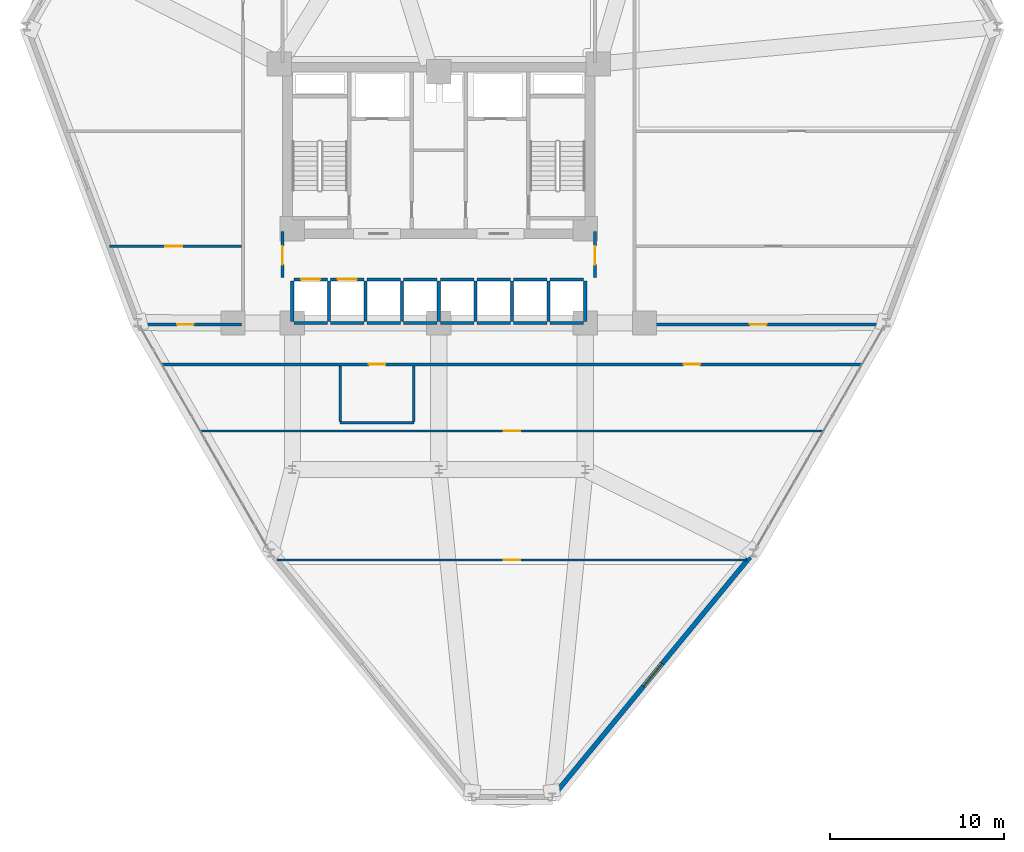
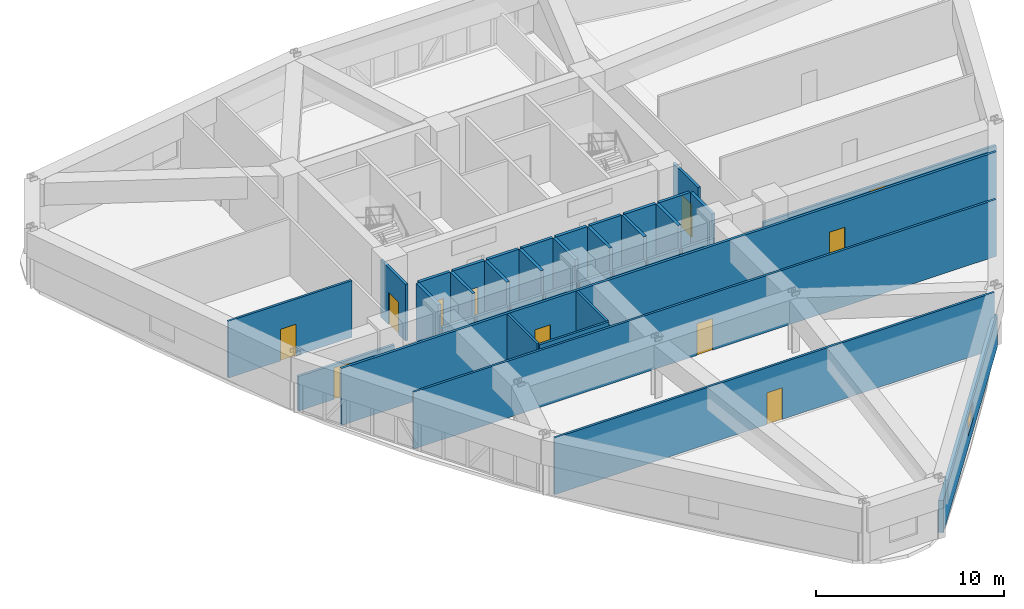
# One storey, part 14 of 18: 37 walls, 11 doors, 1 window, 12 openings.
"""IFC4 building model written with IfcOpenShell, lengths in metres."""

import ifcopenshell
import ifcopenshell.guid

model = None  # the IFC model being written
_history = None  # IfcOwnerHistory: only IFC2X3 demands one
_inside = {}  # id of a spatial element -> (the spatial element, [elements in it])
_under = {}  # id of a project, library or spatial element -> (it, [spatial elements below it])
_declared = {}  # id of a project -> (the project, [libraries it declares])
_typed = {}  # id of a type object -> (the type object, [elements of that type])
_made_of = {}  # id of a material, layer set ... -> (it, [elements and type objects made of it])


def new_model(schema):
    """Start an empty IFC model of exactly this schema.

    Asked for "IFC4X3", IfcOpenShell would pick the latest addendum, in which some entities
    have other attributes; the version numbers below select the first issue.
    IFC2X3 requires an IfcOwnerHistory on every rooted entity: one is made here for all.
    """
    global model, _history
    if schema == "IFC4X3":
        model = ifcopenshell.file(schema_version=(4, 3, 0, 0))
    else:
        model = ifcopenshell.file(schema=schema)
    _inside.clear()
    _under.clear()
    _declared.clear()
    _typed.clear()
    _made_of.clear()
    _history = None
    if model.schema == "IFC2X3":
        org = make("IfcOrganization", Name="unknown")
        user = make(
            "IfcPersonAndOrganization",
            ThePerson=make("IfcPerson", FamilyName="unknown"),
            TheOrganization=org,
        )
        app = make(
            "IfcApplication",
            ApplicationDeveloper=org,
            Version="unknown",
            ApplicationFullName="unknown",
            ApplicationIdentifier="unknown",
        )
        _history = make(
            "IfcOwnerHistory",
            OwningUser=user,
            OwningApplication=app,
            ChangeAction="ADDED",
            CreationDate=0,
        )
    return model


def make(cls, **values):
    """One entity of the class cls with the attributes given. An attribute that is None is left unset."""
    return model.create_entity(
        cls, **{name: value for name, value in values.items() if value is not None}
    )


def rooted(cls, **values):
    """An entity with a GlobalId (a new one), such as an element, a storey or a relation."""
    return make(cls, GlobalId=ifcopenshell.guid.new(), OwnerHistory=_history, **values)


def si_unit(unit_type, name, prefix=None):
    """IfcSIUnit, for example si_unit("LENGTHUNIT", "METRE", prefix="MILLI")."""
    return make("IfcSIUnit", UnitType=unit_type, Prefix=prefix, Name=name)


def derived_unit(unit_type, elements):
    """IfcDerivedUnit: a product of units, each with its exponent."""
    return make(
        "IfcDerivedUnit",
        Elements=[
            make("IfcDerivedUnitElement", Unit=unit, Exponent=power)
            for unit, power in elements
        ],
        UnitType=unit_type,
    )


def assignment(units):
    """IfcUnitAssignment: the units of a project."""
    return None if units is None else make("IfcUnitAssignment", Units=units)


def point(xyz):
    """IfcCartesianPoint."""
    return None if xyz is None else make("IfcCartesianPoint", Coordinates=xyz)


def direction(xyz):
    """IfcDirection."""
    return None if xyz is None else make("IfcDirection", DirectionRatios=xyz)


def frame(location, z_axis=None, x_axis=None):
    """IfcAxis2Placement3D, a coordinate frame: its origin and axes. An axis left out is left unset."""
    return make(
        "IfcAxis2Placement3D",
        Location=point(location),
        Axis=direction(z_axis),
        RefDirection=direction(x_axis),
    )


def frame_2d(location, x_axis=None):
    """IfcAxis2Placement2D, a coordinate frame in the plane: its origin and x axis."""
    return make(
        "IfcAxis2Placement2D", Location=point(location), RefDirection=direction(x_axis)
    )


def origin():
    """The frame at (0, 0, 0) with its axes left unset."""
    return frame((0.0, 0.0, 0.0))


def place(relative_to, where):
    """IfcLocalPlacement: puts the frame where relative to a parent placement (None: the world)."""
    return make(
        "IfcLocalPlacement", PlacementRelTo=relative_to, RelativePlacement=where
    )


def context(
    kind, dimensions, precision=None, world=None, true_north=None, identifier=None
):
    """IfcGeometricRepresentationContext, for example the 3D "Model" context."""
    return make(
        "IfcGeometricRepresentationContext",
        ContextIdentifier=identifier,
        ContextType=kind,
        CoordinateSpaceDimension=dimensions,
        Precision=precision,
        WorldCoordinateSystem=world,
        TrueNorth=true_north,
    )


def subcontext(parent, identifier, kind, view, scale=None):
    """IfcGeometricRepresentationSubContext, for example "Body" below "Model"."""
    return make(
        "IfcGeometricRepresentationSubContext",
        ContextIdentifier=identifier,
        ContextType=kind,
        ParentContext=parent,
        TargetScale=scale,
        TargetView=view,
    )


def project(units=None, contexts=None):
    """IfcProject with its units and contexts."""
    return rooted(
        "IfcProject",
        Name="project",
        RepresentationContexts=contexts,
        UnitsInContext=assignment(units),
    )


def spatial(cls, under=None, at=None, **own):
    """A site, building, storey or space (cls), placed at a placement, below another one or the project."""
    s = rooted(cls, ObjectPlacement=at, **own)
    if under is not None:
        _under.setdefault(under.id(), (under, []))[1].append(s)
    return s


def profile(cls, at=None, kind="AREA", **sizes):
    """A parametric profile (cls). Its sizes go by their IFC names, for example OverallWidth=200.0."""
    return make(cls, ProfileType=kind, Position=at, **sizes)


def rectangle(**sizes):
    """IfcRectangleProfileDef."""
    return profile("IfcRectangleProfileDef", **sizes)


def extrude(swept, where, along, depth):
    """IfcExtrudedAreaSolid: the profile swept, set in the frame where, extruded along a direction by depth."""
    return make(
        "IfcExtrudedAreaSolid",
        SweptArea=swept,
        Position=where,
        ExtrudedDirection=direction(along),
        Depth=depth,
    )


def shape(context_of_items, identifier, shape_type, items):
    """IfcShapeRepresentation: the items that make up one representation, for example the "Body"."""
    return make(
        "IfcShapeRepresentation",
        ContextOfItems=context_of_items,
        RepresentationIdentifier=identifier,
        RepresentationType=shape_type,
        Items=items,
    )


def material(Name=None, Category=None):
    """IfcMaterial."""
    return make("IfcMaterial", Name=Name, Category=Category)


def layer(
    of_material, thickness, ventilated=None, Name=None, Category=None, Priority=None
):
    """IfcMaterialLayer: one layer of a wall or slab, of a material (None: an air gap)."""
    return make(
        "IfcMaterialLayer",
        Material=of_material,
        LayerThickness=thickness,
        IsVentilated=ventilated,
        Name=Name,
        Category=Category,
        Priority=Priority,
    )


def layer_set(layers, Name=None):
    """IfcMaterialLayerSet."""
    return make("IfcMaterialLayerSet", MaterialLayers=layers, LayerSetName=Name)


def made_of(thing, what):
    """Note that an element or type object is made of a material, layer set ...; save() writes the relation."""
    if what is not None:
        _made_of.setdefault(what.id(), (what, []))[1].append(thing)
    return thing


def type_object(cls, material=None, **own):
    """A type object (cls), such as IfcWallType, which elements share."""
    return made_of(rooted(cls, **own), material)


def element(
    cls,
    number,
    at=None,
    inside=None,
    cuts=None,
    type_object=None,
    material=None,
    context=None,
    identifier="Body",
    shape_type=None,
    held_by="IfcProductDefinitionShape",
    body=None,
    shapes=None,
    **own,
):
    """One element of the class cls, such as IfcWall. Its Tag is "e" and its number.

    at: its placement. inside: the storey or other place that contains it. cuts: it is an
    opening in that element (IfcRelVoidsElement). A single representation is given by context,
    identifier, shape_type and body (its items); several are given by shapes. held_by: the class
    of the entity that holds the representations. save() writes the other relations.
    """
    e = rooted(cls, Tag="e%d" % number, ObjectPlacement=at, **own)
    if body is not None:
        shapes = [shape(context, identifier, shape_type, body)]
    if shapes is not None:
        e.Representation = make(held_by, Representations=shapes)
    if inside is not None:
        _inside.setdefault(inside.id(), (inside, []))[1].append(e)
    if cuts is not None:
        rooted(
            "IfcRelVoidsElement", RelatingBuildingElement=cuts, RelatedOpeningElement=e
        )
    if type_object is not None:
        _typed.setdefault(type_object.id(), (type_object, []))[1].append(e)
    return made_of(e, material)


def fill(opening, filler):
    """IfcRelFillsElement: the door or window that sits in an opening."""
    return rooted(
        "IfcRelFillsElement",
        RelatingOpeningElement=opening,
        RelatedBuildingElement=filler,
    )


def aggregate(whole, parts):
    """IfcRelAggregates: a whole, such as a stair, and the parts it consists of."""
    return rooted("IfcRelAggregates", RelatingObject=whole, RelatedObjects=parts)


def save(model, path):
    """Write the relations noted so far, then the file.

    IfcRelAggregates (storeys below a building ...), IfcRelContainedInSpatialStructure (elements
    in a storey), IfcRelDefinesByType, IfcRelAssociatesMaterial and IfcRelDeclares: one each for
    every whole, place, type object, material and project.
    """
    for whole, parts in _under.values():
        aggregate(whole, parts)
    for where, things in _inside.values():
        rooted(
            "IfcRelContainedInSpatialStructure",
            RelatedElements=things,
            RelatingStructure=where,
        )
    for kind, things in _typed.values():
        rooted("IfcRelDefinesByType", RelatedObjects=things, RelatingType=kind)
    for what, things in _made_of.values():
        rooted("IfcRelAssociatesMaterial", RelatedObjects=things, RelatingMaterial=what)
    for by, libraries in _declared.values():
        rooted("IfcRelDeclares", RelatingContext=by, RelatedDefinitions=libraries)
    model.write(path)


model = new_model("IFC4")

# Units and contexts
model_context = context("Model", 3, precision=1e-05, world=origin(), true_north=direction((0.0, 1.0)))
body_context = subcontext(model_context, "Body", "Model", "MODEL_VIEW")
ifc_project = project(units=[si_unit("LENGTHUNIT", "METRE"), si_unit("AREAUNIT", "SQUARE_METRE"), si_unit("VOLUMEUNIT", "CUBIC_METRE"), si_unit("PLANEANGLEUNIT", "RADIAN"), si_unit("MASSUNIT", "GRAM", prefix="KILO"), derived_unit("THERMALTRANSMITTANCEUNIT", [(si_unit("POWERUNIT", "WATT"), 1), (si_unit("LENGTHUNIT", "METRE"), -2), (si_unit("THERMODYNAMICTEMPERATUREUNIT", "KELVIN"), -1)])], contexts=[model_context])

# Site, building, storey
site_placement = place(None, origin())
site = spatial("IfcSite", under=ifc_project, at=site_placement, CompositionType="ELEMENT")
building_placement = place(site_placement, origin())
building = spatial("IfcBuilding", under=site, at=building_placement, Name="Korsvarv Bourse and Concert Hall", CompositionType="ELEMENT")
storey_placement = place(building_placement, frame((0.0, 0.0, 71.699951171875)))
storey = spatial("IfcBuildingStorey", under=building, at=storey_placement, Name="L17", CompositionType="ELEMENT", Elevation=71.699951171875)

# Wall, opening, window
ifc_material_1 = material(Name="Precast concrete C45/55 with fluted terracotta pier", Category="concrete")
ifc_layer_1 = layer(ifc_material_1, 0.280029296875)
ifc_layer_set_1 = layer_set([ifc_layer_1], Name="Precast concrete C45/55 with fluted terracotta pier")
wall_type_1 = type_object("IfcWallType", Name="WL-EXT-TC2", PredefinedType="SOLIDWALL", material=ifc_layer_set_1)
wall_1_placement = place(storey_placement, frame((42.71826171875, 5.4609375, 0.0), z_axis=(0.0, 0.0, 1.0), x_axis=(0.635547248194, 0.772061976342, 0.0)))
wall_1 = element("IfcWall", 1, at=wall_1_placement, inside=storey, type_object=wall_type_1, Name="L17 terracotta exterior wall EW-L17-B10", PredefinedType="SOLIDWALL", context=body_context, shape_type="SweptSolid", body=[
    extrude(rectangle(XDim=17.490478515625, YDim=0.280029296875, at=frame_2d((8.7451171875, 0.0))), origin(), (0.0, 0.0, 1.0), 2.080078125),
])
opening_1_placement = place(wall_1_placement, frame((7.895263671875, 0.0, 0.75)))
opening_1 = element("IfcOpeningElement", 2, at=opening_1_placement, cuts=wall_1, Name="Opening W-06", PredefinedType="OPENING", context=body_context, shape_type="SweptSolid", body=[
    extrude(rectangle(XDim=1.699951171875, YDim=1.14990234375, at=frame_2d((0.85009765625, 0.574951171875))), frame((0.0, 0.14990234375, 0.0), z_axis=(0.0, -1.0, 0.0), x_axis=(1.0, 0.0, 0.0)), (0.0, 0.0, 1.0), 0.300048828125),
])
ifc_material_2 = material(Name="Thermally broken aluminium frame with triple low-E glass", Category="glass")
window_type = type_object("IfcWindowType", Name="WIN-TW1-1700X1150", PartitioningType="SINGLE_PANEL", PredefinedType="WINDOW", material=ifc_material_2)
window_placement = place(opening_1_placement, origin())
window = element("IfcWindow", 3, at=window_placement, inside=storey, type_object=window_type, Name="L17 punched facade window W-06", OverallHeight=1.14990234375, OverallWidth=1.699951171875, PartitioningType="SINGLE_PANEL", PredefinedType="WINDOW", context=body_context, shape_type="SweptSolid", body=[
    extrude(rectangle(XDim=1.699951171875, YDim=1.14990234375, at=frame_2d((0.85009765625, 0.574951171875))), frame((0.0, 0.030029296875, 0.0), z_axis=(0.0, -1.0, 0.0), x_axis=(1.0, 0.0, 0.0)), (0.0, 0.0, 1.0), 0.06005859375),
])
fill(opening_1, window)

# Wall, opening, door
ifc_material_3 = material(Name="Double-stud fire-rated acoustic partition", Category="gypsum")
ifc_layer_2 = layer(ifc_material_3, 0.159912109375)
ifc_layer_set_2 = layer_set([ifc_layer_2], Name="Double-stud fire-rated acoustic partition")
wall_type_2 = type_object("IfcWallType", Name="WL-INT-EI60", PredefinedType="PARTITIONING", material=ifc_layer_set_2)
wall_2_placement = place(storey_placement, frame((27.0400390625, 35.0, 0.0), z_axis=(0.0, 0.0, 1.0), x_axis=(0.0, 1.0, 0.0)))
wall_2 = element("IfcWall", 4, at=wall_2_placement, inside=storey, type_object=wall_type_2, Name="L17 interior partition wall W-L17-LOB-W", PredefinedType="PARTITIONING", context=body_context, shape_type="SweptSolid", body=[
    extrude(rectangle(XDim=2.64990234375, YDim=0.159912109375, at=frame_2d((1.324951171875, 0.0))), origin(), (0.0, 0.0, 1.0), 3.679931640625),
])
opening_2_placement = place(wall_2_placement, frame((0.75, 0.0, 0.0)))
opening_2 = element("IfcOpeningElement", 5, at=opening_2_placement, cuts=wall_2, Name="Opening D-01", PredefinedType="OPENING", context=body_context, shape_type="SweptSolid", body=[
    extrude(rectangle(XDim=1.050048828125, YDim=2.10009765625, at=frame_2d((0.52490234375, 1.050048828125))), frame((0.0, 0.08984375, 0.0), z_axis=(0.0, -1.0, 0.0), x_axis=(1.0, 0.0, 0.0)), (0.0, 0.0, 1.0), 0.179931640625),
])
ifc_material_4 = material(Name="Steel S355 fire door", Category="steel")
door_type_1 = type_object("IfcDoorType", Name="DR-FD60", OperationType="NOTDEFINED", PredefinedType="DOOR", material=ifc_material_4)
door_1_placement = place(opening_2_placement, frame((1.050048828125, 0.0, 0.0), z_axis=(0.0, 0.0, 1.0), x_axis=(-1.0, 0.0, 0.0)))
door_1 = element("IfcDoor", 6, at=door_1_placement, inside=storey, type_object=door_type_1, Name="L17 interior door DR-L17-LOBW", OperationType="SINGLE_SWING_LEFT", OverallHeight=2.10009765625, OverallWidth=1.050048828125, PredefinedType="DOOR", context=body_context, shape_type="SweptSolid", body=[
    extrude(rectangle(XDim=1.050048828125, YDim=2.10009765625, at=frame_2d((0.52490234375, 1.050048828125))), frame((0.0, 0.02490234375, 0.0), z_axis=(0.0, -1.0, 0.0), x_axis=(1.0, 0.0, 0.0)), (0.0, 0.0, 1.0), 0.050048828125),
])
fill(opening_2, door_1)

wall_3_placement = place(storey_placement, frame((44.9599609375, 35.0, 0.0), z_axis=(0.0, 0.0, 1.0), x_axis=(0.0, 1.0, 0.0)))
wall_3 = element("IfcWall", 7, at=wall_3_placement, inside=storey, type_object=wall_type_2, Name="L17 interior partition wall W-L17-LOB-E", PredefinedType="PARTITIONING", context=body_context, shape_type="SweptSolid", body=[
    extrude(rectangle(XDim=2.64990234375, YDim=0.159912109375, at=frame_2d((1.324951171875, 0.0))), origin(), (0.0, 0.0, 1.0), 3.679931640625),
])
opening_3_placement = place(wall_3_placement, frame((0.75, 0.0, 0.0)))
opening_3 = element("IfcOpeningElement", 8, at=opening_3_placement, cuts=wall_3, Name="Opening D-01", PredefinedType="OPENING", context=body_context, shape_type="SweptSolid", body=[
    extrude(rectangle(XDim=1.050048828125, YDim=2.10009765625, at=frame_2d((0.52490234375, 1.050048828125))), frame((0.0, 0.08984375, 0.0), z_axis=(0.0, -1.0, 0.0), x_axis=(1.0, 0.0, 0.0)), (0.0, 0.0, 1.0), 0.179931640625),
])
door_2_placement = place(opening_3_placement, origin())
door_2 = element("IfcDoor", 9, at=door_2_placement, inside=storey, type_object=door_type_1, Name="L17 interior door DR-L17-LOBE", OperationType="SINGLE_SWING_RIGHT", OverallHeight=2.10009765625, OverallWidth=1.050048828125, PredefinedType="DOOR", context=body_context, shape_type="SweptSolid", body=[
    extrude(rectangle(XDim=1.050048828125, YDim=2.10009765625, at=frame_2d((0.52490234375, 1.050048828125))), frame((0.0, 0.02490234375, 0.0), z_axis=(0.0, -1.0, 0.0), x_axis=(1.0, 0.0, 0.0)), (0.0, 0.0, 1.0), 0.050048828125),
])
fill(opening_3, door_2)

# Wall, openings, doors
wall_4_placement = place(storey_placement, frame((20.140625, 30.02490234375, 0.0), z_axis=(0.0, 0.0, 1.0), x_axis=(1.0, 0.0, 0.0)))
wall_4 = element("IfcWall", 10, at=wall_4_placement, inside=storey, type_object=wall_type_2, Name="L17 interior partition wall W-L17-TCOR-01", PredefinedType="PARTITIONING", context=body_context, shape_type="SweptSolid", body=[
    extrude(rectangle(XDim=40.118896484375, YDim=0.159912109375, at=frame_2d((20.0595703125, 0.0))), origin(), (0.0, 0.0, 1.0), 3.679931640625),
])
opening_4_placement = place(wall_4_placement, frame((11.844482421875, 0.0, 0.0)))
opening_4 = element("IfcOpeningElement", 11, at=opening_4_placement, cuts=wall_4, Name="Opening D-02", PredefinedType="OPENING", context=body_context, shape_type="SweptSolid", body=[
    extrude(rectangle(XDim=0.949951171875, YDim=2.050048828125, at=frame_2d((0.47509765625, 1.02490234375))), frame((0.0, 0.08984375, 0.0), z_axis=(0.0, -1.0, 0.0), x_axis=(1.0, 0.0, 0.0)), (0.0, 0.0, 1.0), 0.179931640625),
])
opening_5_placement = place(wall_4_placement, frame((29.8955078125, 0.0, 0.0)))
opening_5 = element("IfcOpeningElement", 12, at=opening_5_placement, cuts=wall_4, Name="Opening D-02", PredefinedType="OPENING", context=body_context, shape_type="SweptSolid", body=[
    extrude(rectangle(XDim=0.949951171875, YDim=2.050048828125, at=frame_2d((0.47509765625, 1.02490234375))), frame((0.0, 0.08984375, 0.0), z_axis=(0.0, -1.0, 0.0), x_axis=(1.0, 0.0, 0.0)), (0.0, 0.0, 1.0), 0.179931640625),
])
ifc_material_5 = material(Name="Timber and steel acoustic fire door", Category="wood")
door_type_2 = type_object("IfcDoorType", Name="DR-FD30", OperationType="NOTDEFINED", PredefinedType="DOOR", material=ifc_material_5)
door_3_placement = place(opening_4_placement, origin())
door_3 = element("IfcDoor", 13, at=door_3_placement, inside=storey, type_object=door_type_2, Name="L17 interior door DR-L17-TCOR-RWC", OperationType="SINGLE_SWING_LEFT", OverallHeight=2.050048828125, OverallWidth=0.949951171875, PredefinedType="DOOR", context=body_context, shape_type="SweptSolid", body=[
    extrude(rectangle(XDim=0.949951171875, YDim=2.050048828125, at=frame_2d((0.47509765625, 1.02490234375))), frame((0.0, 0.02490234375, 0.0), z_axis=(0.0, -1.0, 0.0), x_axis=(1.0, 0.0, 0.0)), (0.0, 0.0, 1.0), 0.050048828125),
])
fill(opening_4, door_3)
door_4_placement = place(opening_5_placement, origin())
door_4 = element("IfcDoor", 14, at=door_4_placement, inside=storey, type_object=door_type_2, Name="L17 interior door DR-L17-TCOR-QT16", OperationType="SINGLE_SWING_RIGHT", OverallHeight=2.050048828125, OverallWidth=0.949951171875, PredefinedType="DOOR", context=body_context, shape_type="SweptSolid", body=[
    extrude(rectangle(XDim=0.949951171875, YDim=2.050048828125, at=frame_2d((0.47509765625, 1.02490234375))), frame((0.0, 0.02490234375, 0.0), z_axis=(0.0, -1.0, 0.0), x_axis=(1.0, 0.0, 0.0)), (0.0, 0.0, 1.0), 0.050048828125),
])
fill(opening_5, door_4)

# Wall, opening, door
wall_5_placement = place(storey_placement, frame((47.306884765625, 32.31494140625, 0.0), z_axis=(0.0, 0.0, 1.0), x_axis=(1.0, 0.0, 0.0)))
wall_5 = element("IfcWall", 15, at=wall_5_placement, inside=storey, type_object=wall_type_2, Name="L17 interior partition wall W-L17-TCOR-04", PredefinedType="PARTITIONING", context=body_context, shape_type="SweptSolid", body=[
    extrude(rectangle(XDim=14.274658203125, YDim=0.159912109375, at=frame_2d((7.13720703125, 0.0))), origin(), (0.0, 0.0, 1.0), 2.239990234375),
])
opening_6_placement = place(wall_5_placement, frame((6.541015625, 0.0, 0.0)))
opening_6 = element("IfcOpeningElement", 16, at=opening_6_placement, cuts=wall_5, Name="Opening D-02", PredefinedType="OPENING", context=body_context, shape_type="SweptSolid", body=[
    extrude(rectangle(XDim=0.949951171875, YDim=2.050048828125, at=frame_2d((0.47509765625, 1.02490234375))), frame((0.0, 0.08984375, 0.0), z_axis=(0.0, -1.0, 0.0), x_axis=(1.0, 0.0, 0.0)), (0.0, 0.0, 1.0), 0.179931640625),
])
door_5_placement = place(opening_6_placement, origin())
door_5 = element("IfcDoor", 17, at=door_5_placement, inside=storey, type_object=door_type_2, Name="L17 interior door DR-L17-TCOR-QT71", OperationType="SINGLE_SWING_RIGHT", OverallHeight=2.050048828125, OverallWidth=0.949951171875, PredefinedType="DOOR", context=body_context, shape_type="SweptSolid", body=[
    extrude(rectangle(XDim=0.949951171875, YDim=2.050048828125, at=frame_2d((0.47509765625, 1.02490234375))), frame((0.0, 0.02490234375, 0.0), z_axis=(0.0, -1.0, 0.0), x_axis=(1.0, 0.0, 0.0)), (0.0, 0.0, 1.0), 0.050048828125),
])
fill(opening_6, door_5)

wall_6_placement = place(storey_placement, frame((18.818359375, 32.31494140625, 0.0), z_axis=(0.0, 0.0, 1.0), x_axis=(1.0, 0.0, 0.0)))
wall_6 = element("IfcWall", 18, at=wall_6_placement, inside=storey, type_object=wall_type_2, Name="L17 interior partition wall W-L17-TCOR-07", PredefinedType="PARTITIONING", context=body_context, shape_type="SweptSolid", body=[
    extrude(rectangle(XDim=5.874755859375, YDim=0.159912109375, at=frame_2d((2.9375, 0.0))), origin(), (0.0, 0.0, 1.0), 2.239990234375),
])
opening_7_placement = place(wall_6_placement, frame((2.17236328125, 0.0, 0.0)))
opening_7 = element("IfcOpeningElement", 19, at=opening_7_placement, cuts=wall_6, Name="Opening D-02", PredefinedType="OPENING", context=body_context, shape_type="SweptSolid", body=[
    extrude(rectangle(XDim=0.949951171875, YDim=2.050048828125, at=frame_2d((0.47509765625, 1.02490234375))), frame((0.0, 0.08984375, 0.0), z_axis=(0.0, -1.0, 0.0), x_axis=(1.0, 0.0, 0.0)), (0.0, 0.0, 1.0), 0.179931640625),
])
door_6_placement = place(opening_7_placement, origin())
door_6 = element("IfcDoor", 20, at=door_6_placement, inside=storey, type_object=door_type_2, Name="L17 interior door DR-L17-TCOR-QT48", OperationType="SINGLE_SWING_RIGHT", OverallHeight=2.050048828125, OverallWidth=0.949951171875, PredefinedType="DOOR", context=body_context, shape_type="SweptSolid", body=[
    extrude(rectangle(XDim=0.949951171875, YDim=2.050048828125, at=frame_2d((0.47509765625, 1.02490234375))), frame((0.0, 0.02490234375, 0.0), z_axis=(0.0, -1.0, 0.0), x_axis=(1.0, 0.0, 0.0)), (0.0, 0.0, 1.0), 0.050048828125),
])
fill(opening_7, door_6)

ifc_material_6 = material(Name="Gypsum-clad autoclaved concrete shaft wall C30/37", Category="concrete")
ifc_layer_3 = layer(ifc_material_6, 0.179931640625)
ifc_layer_set_3 = layer_set([ifc_layer_3], Name="Gypsum-clad autoclaved concrete shaft wall C30/37")
wall_type_3 = type_object("IfcWallType", Name="WL-INT-EI90", PredefinedType="PARTITIONING", material=ifc_layer_set_3)
wall_7_placement = place(storey_placement, frame((27.68994140625, 34.89990234375, 0.0), z_axis=(0.0, 0.0, 1.0), x_axis=(1.0, 0.0, 0.0)))
wall_7 = element("IfcWall", 21, at=wall_7_placement, inside=storey, type_object=wall_type_3, Name="L17 interior partition wall W-L17-SHFN-PL1", PredefinedType="PARTITIONING", context=body_context, shape_type="SweptSolid", body=[
    extrude(rectangle(XDim=1.920166015625, YDim=0.179931640625, at=frame_2d((0.9599609375, 0.0))), origin(), (0.0, 0.0, 1.0), 3.679931640625),
])
opening_8_placement = place(wall_7_placement, frame((0.409912109375, 0.0, 0.0)))
opening_8 = element("IfcOpeningElement", 22, at=opening_8_placement, cuts=wall_7, Name="Opening LD-2", PredefinedType="OPENING", context=body_context, shape_type="SweptSolid", body=[
    extrude(rectangle(XDim=1.10009765625, YDim=2.10009765625, at=frame_2d((0.550048828125, 1.050048828125))), frame((0.0, 0.10009765625, 0.0), z_axis=(0.0, -1.0, 0.0), x_axis=(1.0, 0.0, 0.0)), (0.0, 0.0, 1.0), 0.199951171875),
])
ifc_material_7 = material(Name="Brushed stainless Steel S355 lift landing door", Category="steel")
door_type_3 = type_object("IfcDoorType", Name="DR-LIFT-P", OperationType="DOUBLE_DOOR_SLIDING", PredefinedType="DOOR", material=ifc_material_7)
door_7_placement = place(opening_8_placement, origin())
door_7 = element("IfcDoor", 23, at=door_7_placement, inside=storey, type_object=door_type_3, Name="L17 lift sliding landing door LD-L17-PL1", OperationType="DOUBLE_DOOR_SLIDING", OverallHeight=2.10009765625, OverallWidth=1.10009765625, PredefinedType="DOOR", context=body_context, shape_type="SweptSolid", body=[
    extrude(rectangle(XDim=1.10009765625, YDim=2.10009765625, at=frame_2d((0.550048828125, 1.050048828125))), frame((0.0, 0.02490234375, 0.0), z_axis=(0.0, -1.0, 0.0), x_axis=(1.0, 0.0, 0.0)), (0.0, 0.0, 1.0), 0.050048828125),
])
fill(opening_8, door_7)

# Walls
wall_8_placement = place(storey_placement, frame((27.68994140625, 32.39990234375, 0.0), z_axis=(0.0, 0.0, 1.0), x_axis=(1.0, 0.0, 0.0)))
element("IfcWall", 24, at=wall_8_placement, inside=storey, type_object=wall_type_3, Name="L17 interior partition wall W-L17-SHFS-PL1", PredefinedType="PARTITIONING", context=body_context, shape_type="SweptSolid", body=[
    extrude(rectangle(XDim=1.920166015625, YDim=0.179931640625, at=frame_2d((0.9599609375, 0.0))), origin(), (0.0, 0.0, 1.0), 2.239990234375),
])
wall_9_placement = place(storey_placement, frame((27.60009765625, 32.489990234375, 0.0), z_axis=(0.0, 0.0, 1.0), x_axis=(0.0, 1.0, 0.0)))
element("IfcWall", 25, at=wall_9_placement, inside=storey, type_object=wall_type_3, Name="L17 interior partition wall W-L17-SHFW-PL1", PredefinedType="PARTITIONING", context=body_context, shape_type="SweptSolid", body=[
    extrude(rectangle(XDim=2.320068359375, YDim=0.179931640625, at=frame_2d((1.16015625, 0.0))), origin(), (0.0, 0.0, 1.0), 3.679931640625),
])

# Wall, opening, door
wall_10_placement = place(storey_placement, frame((29.7900390625, 34.89990234375, 0.0), z_axis=(0.0, 0.0, 1.0), x_axis=(1.0, 0.0, 0.0)))
wall_10 = element("IfcWall", 26, at=wall_10_placement, inside=storey, type_object=wall_type_3, Name="L17 interior partition wall W-L17-SHFN-PL2", PredefinedType="PARTITIONING", context=body_context, shape_type="SweptSolid", body=[
    extrude(rectangle(XDim=1.919921875, YDim=0.179931640625, at=frame_2d((0.9599609375, 0.0))), origin(), (0.0, 0.0, 1.0), 3.679931640625),
])
opening_9_placement = place(wall_10_placement, frame((0.409912109375, 0.0, 0.0)))
opening_9 = element("IfcOpeningElement", 27, at=opening_9_placement, cuts=wall_10, Name="Opening LD-2", PredefinedType="OPENING", context=body_context, shape_type="SweptSolid", body=[
    extrude(rectangle(XDim=1.10009765625, YDim=2.10009765625, at=frame_2d((0.550048828125, 1.050048828125))), frame((0.0, 0.10009765625, 0.0), z_axis=(0.0, -1.0, 0.0), x_axis=(1.0, 0.0, 0.0)), (0.0, 0.0, 1.0), 0.199951171875),
])
door_8_placement = place(opening_9_placement, origin())
door_8 = element("IfcDoor", 28, at=door_8_placement, inside=storey, type_object=door_type_3, Name="L17 lift sliding landing door LD-L17-PL2", OperationType="DOUBLE_DOOR_SLIDING", OverallHeight=2.10009765625, OverallWidth=1.10009765625, PredefinedType="DOOR", context=body_context, shape_type="SweptSolid", body=[
    extrude(rectangle(XDim=1.10009765625, YDim=2.10009765625, at=frame_2d((0.550048828125, 1.050048828125))), frame((0.0, 0.02490234375, 0.0), z_axis=(0.0, -1.0, 0.0), x_axis=(1.0, 0.0, 0.0)), (0.0, 0.0, 1.0), 0.050048828125),
])
fill(opening_9, door_8)

# Walls
wall_11_placement = place(storey_placement, frame((29.7900390625, 32.39990234375, 0.0), z_axis=(0.0, 0.0, 1.0), x_axis=(1.0, 0.0, 0.0)))
element("IfcWall", 29, at=wall_11_placement, inside=storey, type_object=wall_type_3, Name="L17 interior partition wall W-L17-SHFS-PL2", PredefinedType="PARTITIONING", context=body_context, shape_type="SweptSolid", body=[
    extrude(rectangle(XDim=1.919921875, YDim=0.179931640625, at=frame_2d((0.9599609375, 0.0))), origin(), (0.0, 0.0, 1.0), 2.239990234375),
])
wall_12_placement = place(storey_placement, frame((29.699951171875, 32.489990234375, 0.0), z_axis=(0.0, 0.0, 1.0), x_axis=(0.0, 1.0, 0.0)))
element("IfcWall", 30, at=wall_12_placement, inside=storey, type_object=wall_type_3, Name="L17 interior partition wall W-L17-SHFW-PL2", PredefinedType="PARTITIONING", context=body_context, shape_type="SweptSolid", body=[
    extrude(rectangle(XDim=2.320068359375, YDim=0.179931640625, at=frame_2d((1.16015625, 0.0))), origin(), (0.0, 0.0, 1.0), 3.679931640625),
])
wall_13_placement = place(storey_placement, frame((31.889892578125, 34.89990234375, 0.0), z_axis=(0.0, 0.0, 1.0), x_axis=(1.0, 0.0, 0.0)))
element("IfcWall", 31, at=wall_13_placement, inside=storey, type_object=wall_type_3, Name="L17 interior partition wall W-L17-SHFN-PM1", PredefinedType="PARTITIONING", context=body_context, shape_type="SweptSolid", body=[
    extrude(rectangle(XDim=1.920166015625, YDim=0.179931640625, at=frame_2d((0.9599609375, 0.0))), origin(), (0.0, 0.0, 1.0), 3.679931640625),
])
wall_14_placement = place(storey_placement, frame((31.889892578125, 32.39990234375, 0.0), z_axis=(0.0, 0.0, 1.0), x_axis=(1.0, 0.0, 0.0)))
element("IfcWall", 32, at=wall_14_placement, inside=storey, type_object=wall_type_3, Name="L17 interior partition wall W-L17-SHFS-PM1", PredefinedType="PARTITIONING", context=body_context, shape_type="SweptSolid", body=[
    extrude(rectangle(XDim=1.920166015625, YDim=0.179931640625, at=frame_2d((0.9599609375, 0.0))), origin(), (0.0, 0.0, 1.0), 2.239990234375),
])
wall_15_placement = place(storey_placement, frame((31.800048828125, 32.489990234375, 0.0), z_axis=(0.0, 0.0, 1.0), x_axis=(0.0, 1.0, 0.0)))
element("IfcWall", 33, at=wall_15_placement, inside=storey, type_object=wall_type_3, Name="L17 interior partition wall W-L17-SHFW-PM1", PredefinedType="PARTITIONING", context=body_context, shape_type="SweptSolid", body=[
    extrude(rectangle(XDim=2.320068359375, YDim=0.179931640625, at=frame_2d((1.16015625, 0.0))), origin(), (0.0, 0.0, 1.0), 3.679931640625),
])
wall_16_placement = place(storey_placement, frame((33.989990234375, 34.89990234375, 0.0), z_axis=(0.0, 0.0, 1.0), x_axis=(1.0, 0.0, 0.0)))
element("IfcWall", 34, at=wall_16_placement, inside=storey, type_object=wall_type_3, Name="L17 interior partition wall W-L17-SHFN-PM2", PredefinedType="PARTITIONING", context=body_context, shape_type="SweptSolid", body=[
    extrude(rectangle(XDim=1.919921875, YDim=0.179931640625, at=frame_2d((0.9599609375, 0.0))), origin(), (0.0, 0.0, 1.0), 3.679931640625),
])
wall_17_placement = place(storey_placement, frame((33.989990234375, 32.39990234375, 0.0), z_axis=(0.0, 0.0, 1.0), x_axis=(1.0, 0.0, 0.0)))
element("IfcWall", 35, at=wall_17_placement, inside=storey, type_object=wall_type_3, Name="L17 interior partition wall W-L17-SHFS-PM2", PredefinedType="PARTITIONING", context=body_context, shape_type="SweptSolid", body=[
    extrude(rectangle(XDim=1.919921875, YDim=0.179931640625, at=frame_2d((0.9599609375, 0.0))), origin(), (0.0, 0.0, 1.0), 2.239990234375),
])
wall_18_placement = place(storey_placement, frame((33.89990234375, 32.489990234375, 0.0), z_axis=(0.0, 0.0, 1.0), x_axis=(0.0, 1.0, 0.0)))
element("IfcWall", 36, at=wall_18_placement, inside=storey, type_object=wall_type_3, Name="L17 interior partition wall W-L17-SHFW-PM2", PredefinedType="PARTITIONING", context=body_context, shape_type="SweptSolid", body=[
    extrude(rectangle(XDim=2.320068359375, YDim=0.179931640625, at=frame_2d((1.16015625, 0.0))), origin(), (0.0, 0.0, 1.0), 3.679931640625),
])
wall_19_placement = place(storey_placement, frame((36.090087890625, 34.89990234375, 0.0), z_axis=(0.0, 0.0, 1.0), x_axis=(1.0, 0.0, 0.0)))
element("IfcWall", 37, at=wall_19_placement, inside=storey, type_object=wall_type_3, Name="L17 interior partition wall W-L17-SHFN-PH1", PredefinedType="PARTITIONING", context=body_context, shape_type="SweptSolid", body=[
    extrude(rectangle(XDim=1.919921875, YDim=0.179931640625, at=frame_2d((0.9599609375, 0.0))), origin(), (0.0, 0.0, 1.0), 3.679931640625),
])
wall_20_placement = place(storey_placement, frame((36.090087890625, 32.39990234375, 0.0), z_axis=(0.0, 0.0, 1.0), x_axis=(1.0, 0.0, 0.0)))
element("IfcWall", 38, at=wall_20_placement, inside=storey, type_object=wall_type_3, Name="L17 interior partition wall W-L17-SHFS-PH1", PredefinedType="PARTITIONING", context=body_context, shape_type="SweptSolid", body=[
    extrude(rectangle(XDim=1.919921875, YDim=0.179931640625, at=frame_2d((0.9599609375, 0.0))), origin(), (0.0, 0.0, 1.0), 2.239990234375),
])
wall_21_placement = place(storey_placement, frame((36.0, 32.489990234375, 0.0), z_axis=(0.0, 0.0, 1.0), x_axis=(0.0, 1.0, 0.0)))
element("IfcWall", 39, at=wall_21_placement, inside=storey, type_object=wall_type_3, Name="L17 interior partition wall W-L17-SHFW-PH1", PredefinedType="PARTITIONING", context=body_context, shape_type="SweptSolid", body=[
    extrude(rectangle(XDim=2.320068359375, YDim=0.179931640625, at=frame_2d((1.16015625, 0.0))), origin(), (0.0, 0.0, 1.0), 3.679931640625),
])
wall_22_placement = place(storey_placement, frame((38.18994140625, 34.89990234375, 0.0), z_axis=(0.0, 0.0, 1.0), x_axis=(1.0, 0.0, 0.0)))
element("IfcWall", 40, at=wall_22_placement, inside=storey, type_object=wall_type_3, Name="L17 interior partition wall W-L17-SHFN-PH2", PredefinedType="PARTITIONING", context=body_context, shape_type="SweptSolid", body=[
    extrude(rectangle(XDim=1.920166015625, YDim=0.179931640625, at=frame_2d((0.9599609375, 0.0))), origin(), (0.0, 0.0, 1.0), 3.679931640625),
])
wall_23_placement = place(storey_placement, frame((38.18994140625, 32.39990234375, 0.0), z_axis=(0.0, 0.0, 1.0), x_axis=(1.0, 0.0, 0.0)))
element("IfcWall", 41, at=wall_23_placement, inside=storey, type_object=wall_type_3, Name="L17 interior partition wall W-L17-SHFS-PH2", PredefinedType="PARTITIONING", context=body_context, shape_type="SweptSolid", body=[
    extrude(rectangle(XDim=1.920166015625, YDim=0.179931640625, at=frame_2d((0.9599609375, 0.0))), origin(), (0.0, 0.0, 1.0), 2.239990234375),
])
wall_24_placement = place(storey_placement, frame((38.10009765625, 32.489990234375, 0.0), z_axis=(0.0, 0.0, 1.0), x_axis=(0.0, 1.0, 0.0)))
element("IfcWall", 42, at=wall_24_placement, inside=storey, type_object=wall_type_3, Name="L17 interior partition wall W-L17-SHFW-PH2", PredefinedType="PARTITIONING", context=body_context, shape_type="SweptSolid", body=[
    extrude(rectangle(XDim=2.320068359375, YDim=0.179931640625, at=frame_2d((1.16015625, 0.0))), origin(), (0.0, 0.0, 1.0), 3.679931640625),
])
wall_25_placement = place(storey_placement, frame((40.2900390625, 34.89990234375, 0.0), z_axis=(0.0, 0.0, 1.0), x_axis=(1.0, 0.0, 0.0)))
element("IfcWall", 43, at=wall_25_placement, inside=storey, type_object=wall_type_3, Name="L17 interior partition wall W-L17-SHFN-PO1", PredefinedType="PARTITIONING", context=body_context, shape_type="SweptSolid", body=[
    extrude(rectangle(XDim=1.919921875, YDim=0.179931640625, at=frame_2d((0.9599609375, 0.0))), origin(), (0.0, 0.0, 1.0), 3.679931640625),
])
wall_26_placement = place(storey_placement, frame((40.2900390625, 32.39990234375, 0.0), z_axis=(0.0, 0.0, 1.0), x_axis=(1.0, 0.0, 0.0)))
element("IfcWall", 44, at=wall_26_placement, inside=storey, type_object=wall_type_3, Name="L17 interior partition wall W-L17-SHFS-PO1", PredefinedType="PARTITIONING", context=body_context, shape_type="SweptSolid", body=[
    extrude(rectangle(XDim=1.919921875, YDim=0.179931640625, at=frame_2d((0.9599609375, 0.0))), origin(), (0.0, 0.0, 1.0), 2.239990234375),
])
wall_27_placement = place(storey_placement, frame((40.199951171875, 32.489990234375, 0.0), z_axis=(0.0, 0.0, 1.0), x_axis=(0.0, 1.0, 0.0)))
element("IfcWall", 45, at=wall_27_placement, inside=storey, type_object=wall_type_3, Name="L17 interior partition wall W-L17-SHFW-PO1", PredefinedType="PARTITIONING", context=body_context, shape_type="SweptSolid", body=[
    extrude(rectangle(XDim=2.320068359375, YDim=0.179931640625, at=frame_2d((1.16015625, 0.0))), origin(), (0.0, 0.0, 1.0), 3.679931640625),
])
wall_28_placement = place(storey_placement, frame((42.389892578125, 34.89990234375, 0.0), z_axis=(0.0, 0.0, 1.0), x_axis=(1.0, 0.0, 0.0)))
element("IfcWall", 46, at=wall_28_placement, inside=storey, type_object=wall_type_3, Name="L17 interior partition wall W-L17-SHFN-PO2", PredefinedType="PARTITIONING", context=body_context, shape_type="SweptSolid", body=[
    extrude(rectangle(XDim=1.920166015625, YDim=0.179931640625, at=frame_2d((0.9599609375, 0.0))), origin(), (0.0, 0.0, 1.0), 3.679931640625),
])
wall_29_placement = place(storey_placement, frame((42.389892578125, 32.39990234375, 0.0), z_axis=(0.0, 0.0, 1.0), x_axis=(1.0, 0.0, 0.0)))
element("IfcWall", 47, at=wall_29_placement, inside=storey, type_object=wall_type_3, Name="L17 interior partition wall W-L17-SHFS-PO2", PredefinedType="PARTITIONING", context=body_context, shape_type="SweptSolid", body=[
    extrude(rectangle(XDim=1.920166015625, YDim=0.179931640625, at=frame_2d((0.9599609375, 0.0))), origin(), (0.0, 0.0, 1.0), 2.239990234375),
])
for number, where, z_axis, x_axis, name in (
    (48, (42.300048828125, 32.489990234375, 0.0), (0.0, 0.0, 1.0), (0.0, 1.0, 0.0), "L17 interior partition wall W-L17-SHFW-PO2"),
    (49, (44.39990234375, 32.489990234375, 0.0), (0.0, 0.0, 1.0), (0.0, 1.0, 0.0), "L17 interior partition wall W-L17-SHFE-END"),
):
    element("IfcWall", number, at=place(storey_placement, frame(where, z_axis=z_axis, x_axis=x_axis)), inside=storey, type_object=wall_type_3, Name=name, PredefinedType="PARTITIONING", context=body_context, shape_type="SweptSolid", body=[
        extrude(rectangle(XDim=2.320068359375, YDim=0.179931640625, at=frame_2d((1.16015625, 0.0))), origin(), (0.0, 0.0, 1.0), 3.679931640625),
    ])

# Wall, opening, door
ifc_material_8 = material(Name="Insulated steel-stud office acoustic partition", Category="gypsum")
ifc_layer_4 = layer(ifc_material_8, 0.139892578125)
ifc_layer_set_4 = layer_set([ifc_layer_4], Name="Insulated steel-stud office acoustic partition")
wall_type_4 = type_object("IfcWallType", Name="WL-INT-P1", PredefinedType="PARTITIONING", material=ifc_layer_set_4)
wall_30_placement = place(storey_placement, frame((22.34619140625, 26.205078125, 0.0), z_axis=(0.0, 0.0, 1.0), x_axis=(1.0, 0.0, 0.0)))
wall_30 = element("IfcWall", 50, at=wall_30_placement, inside=storey, type_object=wall_type_4, Name="L17 interior partition wall W-L17-TCOR-08", PredefinedType="PARTITIONING", context=body_context, shape_type="SweptSolid", body=[
    extrude(rectangle(XDim=35.707763671875, YDim=0.139892578125, at=frame_2d((17.85400390625, 0.0))), origin(), (0.0, 0.0, 1.0), 3.679931640625),
])
opening_10_placement = place(wall_30_placement, frame((17.37890625, 0.0, 0.0)))
opening_10 = element("IfcOpeningElement", 51, at=opening_10_placement, cuts=wall_30, Name="Opening D-03", PredefinedType="OPENING", context=body_context, shape_type="SweptSolid", body=[
    extrude(rectangle(XDim=0.949951171875, YDim=2.050048828125, at=frame_2d((0.47509765625, 1.02490234375))), frame((0.0, 0.080078125, 0.0), z_axis=(0.0, -1.0, 0.0), x_axis=(1.0, 0.0, 0.0)), (0.0, 0.0, 1.0), 0.159912109375),
])
ifc_material_9 = material(Name="Nordic oak acoustic office door", Category="wood")
door_type_4 = type_object("IfcDoorType", Name="DR-INT-1", OperationType="NOTDEFINED", PredefinedType="DOOR", material=ifc_material_9)
door_9_placement = place(opening_10_placement, origin())
door_9 = element("IfcDoor", 52, at=door_9_placement, inside=storey, type_object=door_type_4, Name="L17 interior door DR-L17-TCOR-QT25", OperationType="SINGLE_SWING_LEFT", OverallHeight=2.050048828125, OverallWidth=0.949951171875, PredefinedType="DOOR", context=body_context, shape_type="SweptSolid", body=[
    extrude(rectangle(XDim=0.949951171875, YDim=2.050048828125, at=frame_2d((0.47509765625, 1.02490234375))), frame((0.0, 0.02490234375, 0.0), z_axis=(0.0, -1.0, 0.0), x_axis=(1.0, 0.0, 0.0)), (0.0, 0.0, 1.0), 0.050048828125),
])
fill(opening_10, door_9)

wall_31_placement = place(storey_placement, frame((26.71728515625, 18.804931640625, 0.0), z_axis=(0.0, 0.0, 1.0), x_axis=(1.0, 0.0, 0.0)))
wall_31 = element("IfcWall", 53, at=wall_31_placement, inside=storey, type_object=wall_type_4, Name="L17 interior partition wall W-L17-TCOR-09", PredefinedType="PARTITIONING", context=body_context, shape_type="SweptSolid", body=[
    extrude(rectangle(XDim=26.96533203125, YDim=0.139892578125, at=frame_2d((13.482666015625, 0.0))), origin(), (0.0, 0.0, 1.0), 3.679931640625),
])
opening_11_placement = place(wall_31_placement, frame((13.0078125, 0.0, 0.0)))
opening_11 = element("IfcOpeningElement", 54, at=opening_11_placement, cuts=wall_31, Name="Opening D-03", PredefinedType="OPENING", context=body_context, shape_type="SweptSolid", body=[
    extrude(rectangle(XDim=0.949951171875, YDim=2.050048828125, at=frame_2d((0.47509765625, 1.02490234375))), frame((0.0, 0.080078125, 0.0), z_axis=(0.0, -1.0, 0.0), x_axis=(1.0, 0.0, 0.0)), (0.0, 0.0, 1.0), 0.159912109375),
])
door_10_placement = place(opening_11_placement, origin())
door_10 = element("IfcDoor", 55, at=door_10_placement, inside=storey, type_object=door_type_4, Name="L17 interior door DR-L17-TCOR-QT34", OperationType="SINGLE_SWING_RIGHT", OverallHeight=2.050048828125, OverallWidth=0.949951171875, PredefinedType="DOOR", context=body_context, shape_type="SweptSolid", body=[
    extrude(rectangle(XDim=0.949951171875, YDim=2.050048828125, at=frame_2d((0.47509765625, 1.02490234375))), frame((0.0, 0.02490234375, 0.0), z_axis=(0.0, -1.0, 0.0), x_axis=(1.0, 0.0, 0.0)), (0.0, 0.0, 1.0), 0.050048828125),
])
fill(opening_11, door_10)

wall_32_placement = place(storey_placement, frame((17.115478515625, 36.804931640625, 0.0), z_axis=(0.0, 0.0, 1.0), x_axis=(1.0, 0.0, 0.0)))
wall_32 = element("IfcWall", 56, at=wall_32_placement, inside=storey, type_object=wall_type_4, Name="L17 interior partition wall W-L17-TCOR-13", PredefinedType="PARTITIONING", context=body_context, shape_type="SweptSolid", body=[
    extrude(rectangle(XDim=7.57763671875, YDim=0.139892578125, at=frame_2d((3.788818359375, 0.0))), origin(), (0.0, 0.0, 1.0), 3.679931640625),
])
opening_12_placement = place(wall_32_placement, frame((3.21044921875, 0.0, 0.0)))
opening_12 = element("IfcOpeningElement", 57, at=opening_12_placement, cuts=wall_32, Name="Opening D-03", PredefinedType="OPENING", context=body_context, shape_type="SweptSolid", body=[
    extrude(rectangle(XDim=0.949951171875, YDim=2.050048828125, at=frame_2d((0.47509765625, 1.02490234375))), frame((0.0, 0.080078125, 0.0), z_axis=(0.0, -1.0, 0.0), x_axis=(1.0, 0.0, 0.0)), (0.0, 0.0, 1.0), 0.159912109375),
])
door_11_placement = place(opening_12_placement, origin())
door_11 = element("IfcDoor", 58, at=door_11_placement, inside=storey, type_object=door_type_4, Name="L17 interior door DR-L17-TCOR-QT59", OperationType="SINGLE_SWING_LEFT", OverallHeight=2.050048828125, OverallWidth=0.949951171875, PredefinedType="DOOR", context=body_context, shape_type="SweptSolid", body=[
    extrude(rectangle(XDim=0.949951171875, YDim=2.050048828125, at=frame_2d((0.47509765625, 1.02490234375))), frame((0.0, 0.02490234375, 0.0), z_axis=(0.0, -1.0, 0.0), x_axis=(1.0, 0.0, 0.0)), (0.0, 0.0, 1.0), 0.050048828125),
])
fill(opening_12, door_11)

# Walls
wall_33_placement = place(storey_placement, frame((30.340087890625, 26.675048828125, 0.0), z_axis=(0.0, 0.0, 1.0), x_axis=(1.0, 0.0, 0.0)))
element("IfcWall", 59, at=wall_33_placement, inside=storey, type_object=wall_type_4, Name="L17 interior partition wall W-L17-TCOR-14", PredefinedType="PARTITIONING", context=body_context, shape_type="SweptSolid", body=[
    extrude(rectangle(XDim=4.239990234375, YDim=0.139892578125, at=frame_2d((2.1201171875, 0.0))), origin(), (0.0, 0.0, 1.0), 3.679931640625),
])
for number, where, z_axis, x_axis, name in (
    (60, (34.574951171875, 26.7470703125, 0.0), (0.0, 0.0, 1.0), (0.0, 1.0, 0.0), "L17 interior partition wall W-L17-TCOR-15"),
    (61, (30.344970703125, 26.7470703125, 0.0), (0.0, 0.0, 1.0), (0.0, 1.0, 0.0), "L17 interior partition wall W-L17-TCOR-16"),
):
    element("IfcWall", number, at=place(storey_placement, frame(where, z_axis=z_axis, x_axis=x_axis)), inside=storey, type_object=wall_type_4, Name=name, PredefinedType="PARTITIONING", context=body_context, shape_type="SweptSolid", body=[
        extrude(rectangle(XDim=3.196044921875, YDim=0.139892578125, at=frame_2d((1.59814453125, 0.0))), origin(), (0.0, 0.0, 1.0), 3.679931640625),
    ])

save(model, "model.ifc")
